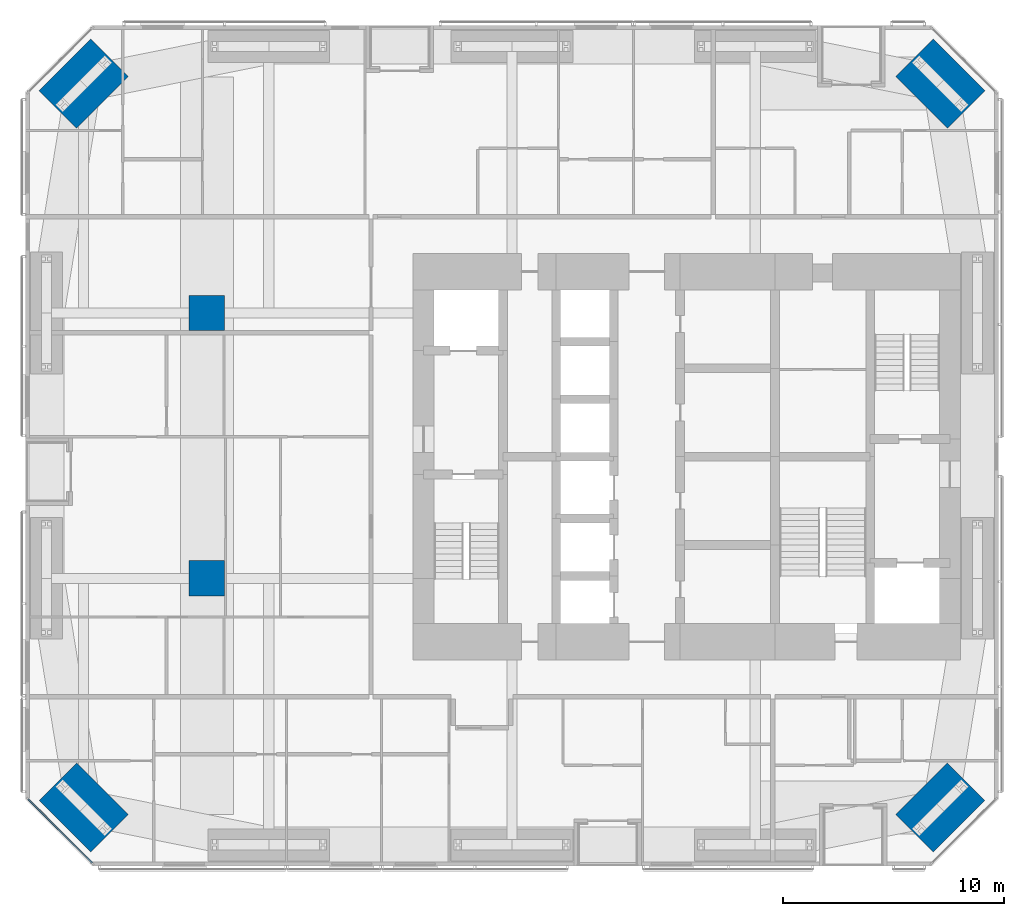
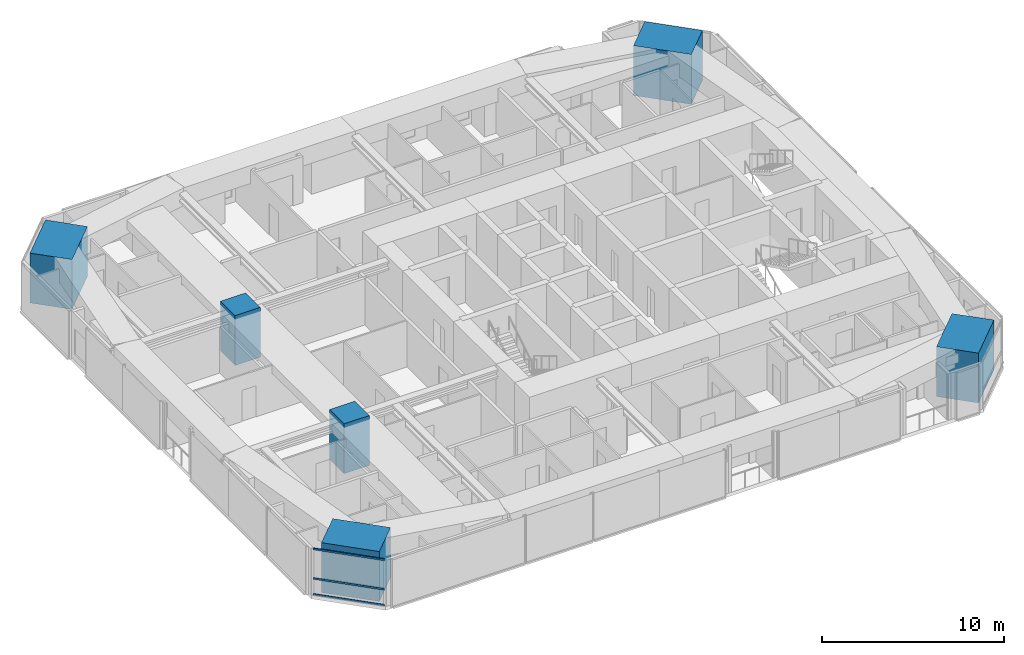
# One storey, part 1 of 24: 6 columns, 3 members, 1 element without a shape of its own.
"""IFC4 building model written with IfcOpenShell, lengths in metres."""

from ifc_helpers import new_model, si_unit, direction, frame, origin, origin_2d, place, context, subcontext, project, spatial, rectangle, extrude, material, material_profile, profile_set, type_object, element, aggregate, save


model = new_model("IFC4")

# Units and contexts
model_context = context("Model", 3, precision=1e-05, world=origin(), true_north=direction((0.0, 1.0)))
body_context = subcontext(model_context, "Body", "Model", "MODEL_VIEW")
ifc_project = project(units=[si_unit("LENGTHUNIT", "METRE"), si_unit("AREAUNIT", "SQUARE_METRE"), si_unit("VOLUMEUNIT", "CUBIC_METRE"), si_unit("PLANEANGLEUNIT", "RADIAN"), si_unit("MASSUNIT", "GRAM", prefix="KILO")], contexts=[model_context])

# Site, building, storey
site_placement = place(None, origin())
site = spatial("IfcSite", under=ifc_project, at=site_placement, CompositionType="ELEMENT")
building_placement = place(site_placement, origin())
building = spatial("IfcBuilding", under=site, at=building_placement, Name="Jalousie Tower", CompositionType="ELEMENT")
storey_placement = place(building_placement, frame((0.0, 0.0, 57.85009765625)))
storey = spatial("IfcBuildingStorey", under=building, at=storey_placement, Name="L15", CompositionType="ELEMENT", Elevation=57.85009765625)

# Columns
ifc_material_1 = material(Name="Concrete f'c 120 MPa", Category="concrete")
ifc_material_profile_1 = material_profile(ifc_material_1, rectangle(XDim=1.60009765625, YDim=1.60009765625, at=origin_2d()), Name="RC 1600x1600")
ifc_profile_set_1 = profile_set([ifc_material_profile_1], Name="Concrete f'c 120 MPa")
column_type_1 = type_object("IfcColumnType", Name="RC COLUMN 1600x1600", PredefinedType="COLUMN", material=ifc_profile_set_1)
for number, where, z_axis, x_axis, name in (
    (1, (10.199951171875, 13.0, 0.0), (0.0, 0.0, 1.0), (1.0, 0.0, 0.0), "Interior column IA1 L15"),
    (2, (10.199951171875, 25.0, 0.0), (0.0, 0.0, 1.0), (1.0, 0.0, 0.0), "Interior column IA2 L15"),
):
    element("IfcColumn", number, at=place(storey_placement, frame(where, z_axis=z_axis, x_axis=x_axis)), inside=storey, type_object=column_type_1, Name=name, PredefinedType="COLUMN", context=body_context, shape_type="SweptSolid", body=[
        extrude(rectangle(XDim=1.60009765625, YDim=1.60009765625, at=origin_2d()), origin(), (0.0, 0.0, 1.0), 3.349853515625),
    ])
ifc_material_2 = material(Name="Concrete f'c 120 MPa", Category="concrete")
ifc_material_profile_2 = material_profile(ifc_material_2, rectangle(XDim=2.39990234375, YDim=3.300048828125, at=origin_2d()), Name="RC 2400x3300")
ifc_profile_set_2 = profile_set([ifc_material_profile_2], Name="Concrete f'c 120 MPa")
column_type_2 = type_object("IfcColumnType", Name="RC CORNER COLUMN 2400x3300", PredefinedType="COLUMN", material=ifc_profile_set_2)
for number, where, z_axis, x_axis, name in (
    (3, (4.63134765625, 2.63134765625, 0.0), (0.0, 0.0, 1.0), (0.707106781187, 0.707106781187, 0.0), "Corner column 01 L15"),
    (4, (43.36865234375, 2.63134765625, 0.0), (0.0, 0.0, 1.0), (-0.707106781187, 0.707106781187, 0.0), "Corner column 05 L15"),
    (5, (43.36865234375, 35.36865234375, 0.0), (0.0, 0.0, 1.0), (-0.707106781187, -0.707106781187, 0.0), "Corner column 08 L15"),
    (6, (4.63134765625, 35.36865234375, 0.0), (0.0, 0.0, 1.0), (0.707106781187, -0.707106781187, 0.0), "Corner column 12 L15"),
):
    element("IfcColumn", number, at=place(storey_placement, frame(where, z_axis=z_axis, x_axis=x_axis)), inside=storey, type_object=column_type_2, Name=name, PredefinedType="COLUMN", context=body_context, shape_type="SweptSolid", body=[
        extrude(rectangle(XDim=2.39990234375, YDim=3.300048828125, at=origin_2d()), origin(), (0.0, 0.0, 1.0), 3.349853515625),
    ])

# Curtain wall, members
ifc_material_3 = material(Name="Aluminium curtain wall", Category="aluminium")
curtain_wall_type = type_object("IfcCurtainWallType", Name="CORNER WINDOW WALL", PredefinedType="USERDEFINED", material=ifc_material_3)
curtain_wall_placement = place(storey_placement, origin())
curtain_wall = element("IfcCurtainWall", 7, at=curtain_wall_placement, inside=storey, type_object=curtain_wall_type, Name="Corner Window Wall L15 8", ObjectType="CORNER WINDOW WALL", PredefinedType="USERDEFINED")
ifc_material_4 = material(Name="Aluminium transom", Category="aluminium")
ifc_material_profile_3 = material_profile(ifc_material_4, rectangle(XDim=0.06005859375, YDim=0.1201171875, at=origin_2d()), Name="TRANSOM 60x120")
ifc_profile_set_3 = profile_set([ifc_material_profile_3], Name="Aluminium transom")
member_type = type_object("IfcMemberType", Name="CORNER WINDOW WALL TRANSOM", PredefinedType="USERDEFINED", material=ifc_profile_set_3)
member_1_placement = place(storey_placement, frame((2.1298828125, 3.0087890625, 0.02978515625), z_axis=(0.707106781187, -0.707106781187, 0.0), x_axis=(0.707106781187, 0.707106781187, 0.0)))
member_1 = element("IfcMember", 8, at=member_1_placement, type_object=member_type, Name="CW-C transom 1.1", ObjectType="TRANSOM", PredefinedType="USERDEFINED", context=body_context, shape_type="SweptSolid", body=[
    extrude(rectangle(XDim=0.06005859375, YDim=0.1201171875, at=origin_2d()), origin(), (0.0, 0.0, 1.0), 4.0712890625),
])
member_2_placement = place(storey_placement, frame((2.1298828125, 3.0087890625, 1.099853515625), z_axis=(0.707106781187, -0.707106781187, 0.0), x_axis=(0.707106781187, 0.707106781187, 0.0)))
member_2 = element("IfcMember", 9, at=member_2_placement, type_object=member_type, Name="CW-C transom 1.2", ObjectType="TRANSOM", PredefinedType="USERDEFINED", context=body_context, shape_type="SweptSolid", body=[
    extrude(rectangle(XDim=0.06005859375, YDim=0.1201171875, at=origin_2d()), origin(), (0.0, 0.0, 1.0), 4.0712890625),
])
member_3_placement = place(storey_placement, frame((2.1298828125, 3.0087890625, 3.079833984375), z_axis=(0.707106781187, -0.707106781187, 0.0), x_axis=(0.707106781187, 0.707106781187, 0.0)))
member_3 = element("IfcMember", 10, at=member_3_placement, type_object=member_type, Name="CW-C transom 1.3", ObjectType="TRANSOM", PredefinedType="USERDEFINED", context=body_context, shape_type="SweptSolid", body=[
    extrude(rectangle(XDim=0.06005859375, YDim=0.1201171875, at=origin_2d()), origin(), (0.0, 0.0, 1.0), 4.0712890625),
])
aggregate(curtain_wall, [member_1, member_2, member_3])

save(model, "model.ifc")
